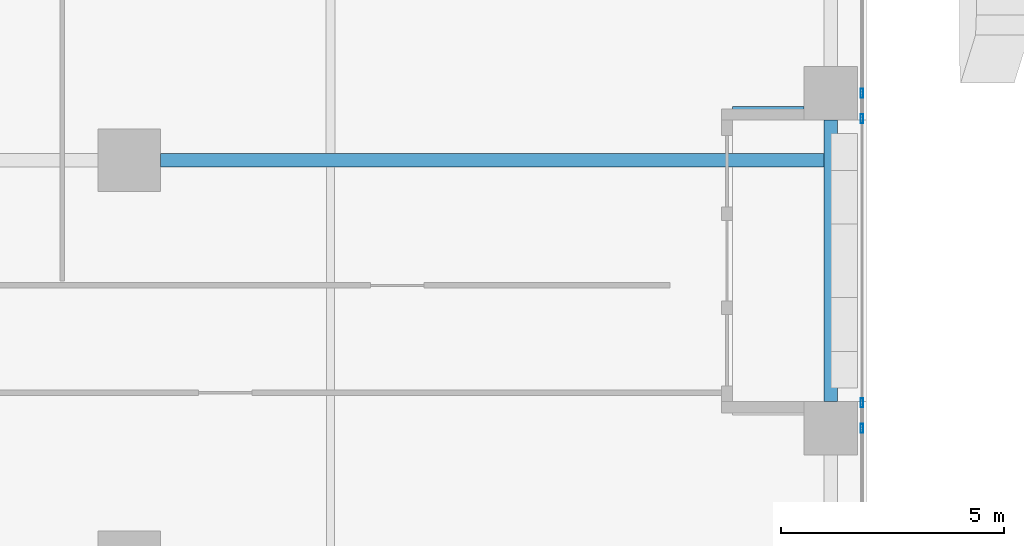
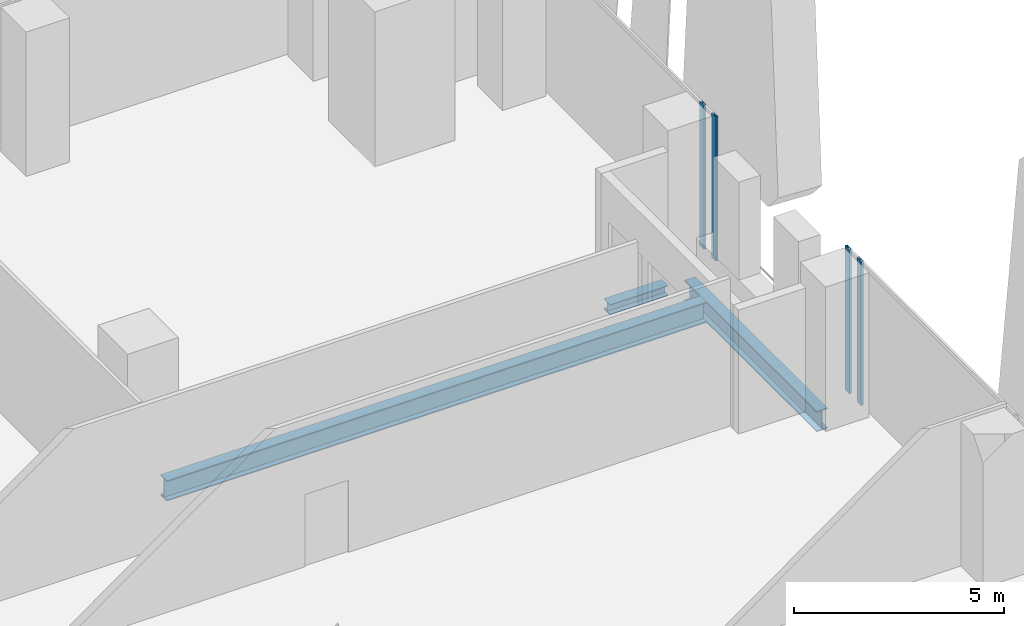
# One storey, part 19 of 37: 4 members, 3 beams, 2 elements without a shape of their own.
"""IFC4 building model written with IfcOpenShell, lengths in metres."""

import ifcopenshell
import ifcopenshell.guid

model = None  # the IFC model being written
_history = None  # IfcOwnerHistory: only IFC2X3 demands one
_inside = {}  # id of a spatial element -> (the spatial element, [elements in it])
_under = {}  # id of a project, library or spatial element -> (it, [spatial elements below it])
_declared = {}  # id of a project -> (the project, [libraries it declares])
_typed = {}  # id of a type object -> (the type object, [elements of that type])
_made_of = {}  # id of a material, layer set ... -> (it, [elements and type objects made of it])


def new_model(schema):
    """Start an empty IFC model of exactly this schema.

    Asked for "IFC4X3", IfcOpenShell would pick the latest addendum, in which some entities
    have other attributes; the version numbers below select the first issue.
    IFC2X3 requires an IfcOwnerHistory on every rooted entity: one is made here for all.
    """
    global model, _history
    if schema == "IFC4X3":
        model = ifcopenshell.file(schema_version=(4, 3, 0, 0))
    else:
        model = ifcopenshell.file(schema=schema)
    _inside.clear()
    _under.clear()
    _declared.clear()
    _typed.clear()
    _made_of.clear()
    _history = None
    if model.schema == "IFC2X3":
        org = make("IfcOrganization", Name="unknown")
        user = make(
            "IfcPersonAndOrganization",
            ThePerson=make("IfcPerson", FamilyName="unknown"),
            TheOrganization=org,
        )
        app = make(
            "IfcApplication",
            ApplicationDeveloper=org,
            Version="unknown",
            ApplicationFullName="unknown",
            ApplicationIdentifier="unknown",
        )
        _history = make(
            "IfcOwnerHistory",
            OwningUser=user,
            OwningApplication=app,
            ChangeAction="ADDED",
            CreationDate=0,
        )
    return model


def make(cls, **values):
    """One entity of the class cls with the attributes given. An attribute that is None is left unset."""
    return model.create_entity(
        cls, **{name: value for name, value in values.items() if value is not None}
    )


def rooted(cls, **values):
    """An entity with a GlobalId (a new one), such as an element, a storey or a relation."""
    return make(cls, GlobalId=ifcopenshell.guid.new(), OwnerHistory=_history, **values)


def si_unit(unit_type, name, prefix=None):
    """IfcSIUnit, for example si_unit("LENGTHUNIT", "METRE", prefix="MILLI")."""
    return make("IfcSIUnit", UnitType=unit_type, Prefix=prefix, Name=name)


def assignment(units):
    """IfcUnitAssignment: the units of a project."""
    return None if units is None else make("IfcUnitAssignment", Units=units)


def point(xyz):
    """IfcCartesianPoint."""
    return None if xyz is None else make("IfcCartesianPoint", Coordinates=xyz)


def direction(xyz):
    """IfcDirection."""
    return None if xyz is None else make("IfcDirection", DirectionRatios=xyz)


def frame(location, z_axis=None, x_axis=None):
    """IfcAxis2Placement3D, a coordinate frame: its origin and axes. An axis left out is left unset."""
    return make(
        "IfcAxis2Placement3D",
        Location=point(location),
        Axis=direction(z_axis),
        RefDirection=direction(x_axis),
    )


def frame_2d(location, x_axis=None):
    """IfcAxis2Placement2D, a coordinate frame in the plane: its origin and x axis."""
    return make(
        "IfcAxis2Placement2D", Location=point(location), RefDirection=direction(x_axis)
    )


def origin():
    """The frame at (0, 0, 0) with its axes left unset."""
    return frame((0.0, 0.0, 0.0))


def origin_2d():
    """The frame at (0, 0) in the plane with its x axis left unset."""
    return frame_2d((0.0, 0.0))


def place(relative_to, where):
    """IfcLocalPlacement: puts the frame where relative to a parent placement (None: the world)."""
    return make(
        "IfcLocalPlacement", PlacementRelTo=relative_to, RelativePlacement=where
    )


def context(
    kind, dimensions, precision=None, world=None, true_north=None, identifier=None
):
    """IfcGeometricRepresentationContext, for example the 3D "Model" context."""
    return make(
        "IfcGeometricRepresentationContext",
        ContextIdentifier=identifier,
        ContextType=kind,
        CoordinateSpaceDimension=dimensions,
        Precision=precision,
        WorldCoordinateSystem=world,
        TrueNorth=true_north,
    )


def subcontext(parent, identifier, kind, view, scale=None):
    """IfcGeometricRepresentationSubContext, for example "Body" below "Model"."""
    return make(
        "IfcGeometricRepresentationSubContext",
        ContextIdentifier=identifier,
        ContextType=kind,
        ParentContext=parent,
        TargetScale=scale,
        TargetView=view,
    )


def project(units=None, contexts=None):
    """IfcProject with its units and contexts."""
    return rooted(
        "IfcProject",
        Name="project",
        RepresentationContexts=contexts,
        UnitsInContext=assignment(units),
    )


def spatial(cls, under=None, at=None, **own):
    """A site, building, storey or space (cls), placed at a placement, below another one or the project."""
    s = rooted(cls, ObjectPlacement=at, **own)
    if under is not None:
        _under.setdefault(under.id(), (under, []))[1].append(s)
    return s


def profile(cls, at=None, kind="AREA", **sizes):
    """A parametric profile (cls). Its sizes go by their IFC names, for example OverallWidth=200.0."""
    return make(cls, ProfileType=kind, Position=at, **sizes)


def hollow_rectangle(**sizes):
    """IfcRectangleHollowProfileDef."""
    return profile("IfcRectangleHollowProfileDef", **sizes)


def i_section(**sizes):
    """IfcIShapeProfileDef."""
    return profile("IfcIShapeProfileDef", **sizes)


def extrude(swept, where, along, depth):
    """IfcExtrudedAreaSolid: the profile swept, set in the frame where, extruded along a direction by depth."""
    return make(
        "IfcExtrudedAreaSolid",
        SweptArea=swept,
        Position=where,
        ExtrudedDirection=direction(along),
        Depth=depth,
    )


def shape(context_of_items, identifier, shape_type, items):
    """IfcShapeRepresentation: the items that make up one representation, for example the "Body"."""
    return make(
        "IfcShapeRepresentation",
        ContextOfItems=context_of_items,
        RepresentationIdentifier=identifier,
        RepresentationType=shape_type,
        Items=items,
    )


def source(mapping_origin, context_of_items, identifier, shape_type, items):
    """IfcRepresentationMap: a shape defined once, which mapped items show again and again."""
    return make(
        "IfcRepresentationMap",
        MappingOrigin=mapping_origin,
        MappedRepresentation=shape(context_of_items, identifier, shape_type, items),
    )


def transform(
    local_origin,
    x_axis=None,
    y_axis=None,
    z_axis=None,
    scale=None,
    scale2=None,
    scale3=None,
    uniform=True,
):
    """IfcCartesianTransformationOperator3D, or its non-uniform kind. x_axis, y_axis, z_axis: its Axis1, 2, 3."""
    if uniform:
        return make(
            "IfcCartesianTransformationOperator3D",
            Axis1=direction(x_axis),
            Axis2=direction(y_axis),
            LocalOrigin=point(local_origin),
            Scale=scale,
            Axis3=direction(z_axis),
        )
    return make(
        "IfcCartesianTransformationOperator3DnonUniform",
        Axis1=direction(x_axis),
        Axis2=direction(y_axis),
        LocalOrigin=point(local_origin),
        Scale=scale,
        Axis3=direction(z_axis),
        Scale2=scale2,
        Scale3=scale3,
    )


def mapped(mapping_source, mapping_target):
    """IfcMappedItem: shows the shape of a source again, moved by a transform."""
    return make(
        "IfcMappedItem", MappingSource=mapping_source, MappingTarget=mapping_target
    )


def material(Name=None, Category=None):
    """IfcMaterial."""
    return make("IfcMaterial", Name=Name, Category=Category)


def material_profile(
    of_material, cross_section, Name=None, Category=None, Priority=None
):
    """IfcMaterialProfile: a cross section and its material."""
    return make(
        "IfcMaterialProfile",
        Name=Name,
        Material=of_material,
        Profile=cross_section,
        Priority=Priority,
        Category=Category,
    )


def profile_set(profiles, Name=None, composite=None):
    """IfcMaterialProfileSet."""
    return make(
        "IfcMaterialProfileSet",
        Name=Name,
        MaterialProfiles=profiles,
        CompositeProfile=composite,
    )


def made_of(thing, what):
    """Note that an element or type object is made of a material, layer set ...; save() writes the relation."""
    if what is not None:
        _made_of.setdefault(what.id(), (what, []))[1].append(thing)
    return thing


def type_object(cls, material=None, **own):
    """A type object (cls), such as IfcWallType, which elements share."""
    return made_of(rooted(cls, **own), material)


def element(
    cls,
    number,
    at=None,
    inside=None,
    cuts=None,
    type_object=None,
    material=None,
    context=None,
    identifier="Body",
    shape_type=None,
    held_by="IfcProductDefinitionShape",
    body=None,
    shapes=None,
    **own,
):
    """One element of the class cls, such as IfcWall. Its Tag is "e" and its number.

    at: its placement. inside: the storey or other place that contains it. cuts: it is an
    opening in that element (IfcRelVoidsElement). A single representation is given by context,
    identifier, shape_type and body (its items); several are given by shapes. held_by: the class
    of the entity that holds the representations. save() writes the other relations.
    """
    e = rooted(cls, Tag="e%d" % number, ObjectPlacement=at, **own)
    if body is not None:
        shapes = [shape(context, identifier, shape_type, body)]
    if shapes is not None:
        e.Representation = make(held_by, Representations=shapes)
    if inside is not None:
        _inside.setdefault(inside.id(), (inside, []))[1].append(e)
    if cuts is not None:
        rooted(
            "IfcRelVoidsElement", RelatingBuildingElement=cuts, RelatedOpeningElement=e
        )
    if type_object is not None:
        _typed.setdefault(type_object.id(), (type_object, []))[1].append(e)
    return made_of(e, material)


def aggregate(whole, parts):
    """IfcRelAggregates: a whole, such as a stair, and the parts it consists of."""
    return rooted("IfcRelAggregates", RelatingObject=whole, RelatedObjects=parts)


def save(model, path):
    """Write the relations noted so far, then the file.

    IfcRelAggregates (storeys below a building ...), IfcRelContainedInSpatialStructure (elements
    in a storey), IfcRelDefinesByType, IfcRelAssociatesMaterial and IfcRelDeclares: one each for
    every whole, place, type object, material and project.
    """
    for whole, parts in _under.values():
        aggregate(whole, parts)
    for where, things in _inside.values():
        rooted(
            "IfcRelContainedInSpatialStructure",
            RelatedElements=things,
            RelatingStructure=where,
        )
    for kind, things in _typed.values():
        rooted("IfcRelDefinesByType", RelatedObjects=things, RelatingType=kind)
    for what, things in _made_of.values():
        rooted("IfcRelAssociatesMaterial", RelatedObjects=things, RelatingMaterial=what)
    for by, libraries in _declared.values():
        rooted("IfcRelDeclares", RelatingContext=by, RelatedDefinitions=libraries)
    model.write(path)


model = new_model("IFC4")

# Units and contexts
model_context = context("Model", 3, precision=1e-05, world=origin(), true_north=direction((0.0, 1.0)))
body_context = subcontext(model_context, "Body", "Model", "MODEL_VIEW")
ifc_project = project(units=[si_unit("LENGTHUNIT", "METRE"), si_unit("AREAUNIT", "SQUARE_METRE"), si_unit("VOLUMEUNIT", "CUBIC_METRE"), si_unit("PLANEANGLEUNIT", "RADIAN"), si_unit("MASSUNIT", "GRAM", prefix="KILO")], contexts=[model_context])

# Site, building, storey
site_placement = place(None, origin())
site = spatial("IfcSite", under=ifc_project, at=site_placement, CompositionType="ELEMENT")
building_placement = place(site_placement, origin())
building = spatial("IfcBuilding", under=site, at=building_placement, Name="Khomas Fold Tower", CompositionType="ELEMENT")
storey_placement = place(building_placement, frame((0.0, 0.0, 60.0)))
storey = spatial("IfcBuildingStorey", under=building, at=storey_placement, Name="L12", CompositionType="ELEMENT", Elevation=60.0)

# Beams
ifc_material_1 = material(Name="Steel S355", Category="steel")
ifc_material_profile_1 = material_profile(ifc_material_1, i_section(OverallWidth=0.300048828125, OverallDepth=0.60009765625, WebThickness=0.015380859375, FlangeThickness=0.030029296875, at=origin_2d()), Name="HE 600 B")
ifc_profile_set_1 = profile_set([ifc_material_profile_1], Name="Steel S355")
beam_type_1 = type_object("IfcBeamType", Name="HE 600 B spandrel SB1", PredefinedType="SPANDREL", material=ifc_profile_set_1)
shared_shape_1 = source(origin(), body_context, "Body", "SweptSolid", [
    extrude(i_section(OverallWidth=0.300048828125, OverallDepth=0.60009765625, WebThickness=0.015380859375, FlangeThickness=0.030029296875, at=origin_2d()), origin(), (0.0, 0.0, 1.0), 6.2998046875),
])
beam_1_placement = place(storey_placement, frame((53.199951171875, 35.10009765625, -0.60009765625), z_axis=(0.0, 1.0, 0.0), x_axis=(-1.0, 0.0, 0.0)))
element("IfcBeam", 1, at=beam_1_placement, inside=storey, type_object=beam_type_1, Name="SB1", PredefinedType="SPANDREL", context=body_context, shape_type="MappedRepresentation", body=[
    mapped(shared_shape_1, transform((0.0, 0.0, 0.0))),
])
ifc_material_2 = material(Name="Steel S355", Category="steel")
ifc_material_profile_2 = material_profile(ifc_material_2, i_section(OverallWidth=0.300048828125, OverallDepth=0.60009765625, WebThickness=0.015380859375, FlangeThickness=0.030029296875, at=origin_2d()), Name="HE 600 B")
ifc_profile_set_2 = profile_set([ifc_material_profile_2], Name="Steel S355")
beam_type_2 = type_object("IfcBeamType", Name="HE 600 B beam GB5", PredefinedType="BEAM", material=ifc_profile_set_2)
shared_shape_2 = source(origin(), body_context, "Body", "SweptSolid", [
    extrude(i_section(OverallWidth=0.300048828125, OverallDepth=0.60009765625, WebThickness=0.015380859375, FlangeThickness=0.030029296875, at=origin_2d()), origin(), (0.0, 0.0, 1.0), 14.85009765625),
])
beam_2_placement = place(storey_placement, frame((38.199951171875, 40.5, -0.60009765625), z_axis=(1.0, 0.0, 0.0), x_axis=(0.0, 1.0, 0.0)))
element("IfcBeam", 2, at=beam_2_placement, inside=storey, type_object=beam_type_2, Name="GB5", PredefinedType="BEAM", context=body_context, shape_type="MappedRepresentation", body=[
    mapped(shared_shape_2, transform((0.0, 0.0, 0.0))),
])
ifc_material_3 = material(Name="Steel S355", Category="steel")
ifc_material_profile_3 = material_profile(ifc_material_3, i_section(OverallWidth=0.300048828125, OverallDepth=0.300048828125, WebThickness=0.010986328125, FlangeThickness=0.01904296875, at=origin_2d()), Name="HE 300 B")
ifc_profile_set_3 = profile_set([ifc_material_profile_3], Name="Steel S355")
beam_type_3 = type_object("IfcBeamType", Name="HE 300 B beam BB1", PredefinedType="BEAM", material=ifc_profile_set_3)
shared_shape_3 = source(origin(), body_context, "Body", "SweptSolid", [
    extrude(i_section(OverallWidth=0.300048828125, OverallDepth=0.300048828125, WebThickness=0.010986328125, FlangeThickness=0.01904296875, at=origin_2d()), origin(), (0.0, 0.0, 1.0), 1.60009765625),
])
beam_3_placement = place(storey_placement, frame((51.0, 41.550048828125, -0.449951171875), z_axis=(1.0, 0.0, 0.0), x_axis=(0.0, 1.0, 0.0)))
element("IfcBeam", 3, at=beam_3_placement, inside=storey, type_object=beam_type_3, Name="BB1", PredefinedType="BEAM", context=body_context, shape_type="MappedRepresentation", body=[
    mapped(shared_shape_3, transform((0.0, 0.0, 0.0))),
])

# Curtain wall, members
ifc_material_4 = material(Name="Aluminium framed double glazing", Category="aluminium")
curtain_wall_type = type_object("IfcCurtainWallType", Name="SK-Unitised clear-glass wall, growing floors CW1", PredefinedType="NOTDEFINED", material=ifc_material_4)
curtain_wall_1_placement = place(storey_placement, origin())
curtain_wall_1 = element("IfcCurtainWall", 4, at=curtain_wall_1_placement, inside=storey, type_object=curtain_wall_type, Name="CW1 run L12 03-0", PredefinedType="NOTDEFINED")
ifc_material_5 = material(Name="Aluminium", Category="aluminium")
ifc_material_profile_4 = material_profile(ifc_material_5, hollow_rectangle(XDim=0.06005859375, YDim=0.199951171875, WallThickness=0.00390625, at=origin_2d()), Name="SK-Unitised clear-glass wall, growing floors mullion CW1-M")
ifc_profile_set_4 = profile_set([ifc_material_profile_4], Name="Aluminium")
member_type = type_object("IfcMemberType", Name="SK-Unitised clear-glass wall, growing floors mullion CW1-M", PredefinedType="MULLION", material=ifc_profile_set_4)
shared_shape_4 = source(origin(), body_context, "Body", "SweptSolid", [
    extrude(hollow_rectangle(XDim=0.06005859375, YDim=0.199951171875, WallThickness=0.00390625, at=origin_2d()), origin(), (0.0, 0.0, 1.0), 4.199951171875),
])
member_1_placement = place(storey_placement, frame((53.89990234375, 34.5, 0.0), z_axis=(0.0, 0.0, 1.0), x_axis=(-1.0, 0.0, 0.0)))
member_1 = element("IfcMember", 5, at=member_1_placement, type_object=member_type, Name="CW1 mullion 6", PredefinedType="MULLION", context=body_context, shape_type="MappedRepresentation", body=[
    mapped(shared_shape_4, transform((0.0, 0.0, 0.0))),
])
member_2_placement = place(storey_placement, frame((53.89990234375, 35.070068359375, 0.0), z_axis=(0.0, 0.0, 1.0), x_axis=(-1.0, 0.0, 0.0)))
member_2 = element("IfcMember", 6, at=member_2_placement, type_object=member_type, Name="CW1 mullion 7", PredefinedType="MULLION", context=body_context, shape_type="MappedRepresentation", body=[
    mapped(shared_shape_4, transform((0.0, 0.0, 0.0))),
])
aggregate(curtain_wall_1, [member_1, member_2])

curtain_wall_2_placement = place(storey_placement, origin())
curtain_wall_2 = element("IfcCurtainWall", 7, at=curtain_wall_2_placement, inside=storey, type_object=curtain_wall_type, Name="CW1 run L12 03-1", PredefinedType="NOTDEFINED")
member_3_placement = place(storey_placement, frame((53.89990234375, 41.429931640625, 0.0), z_axis=(0.0, 0.0, 1.0), x_axis=(-1.0, 0.0, 0.0)))
member_3 = element("IfcMember", 8, at=member_3_placement, type_object=member_type, Name="CW1 mullion 1", PredefinedType="MULLION", context=body_context, shape_type="MappedRepresentation", body=[
    mapped(shared_shape_4, transform((0.0, 0.0, 0.0))),
])
member_4_placement = place(storey_placement, frame((53.89990234375, 42.0, 0.0), z_axis=(0.0, 0.0, 1.0), x_axis=(-1.0, 0.0, 0.0)))
member_4 = element("IfcMember", 9, at=member_4_placement, type_object=member_type, Name="CW1 mullion 2", PredefinedType="MULLION", context=body_context, shape_type="MappedRepresentation", body=[
    mapped(shared_shape_4, transform((0.0, 0.0, 0.0))),
])
aggregate(curtain_wall_2, [member_3, member_4])

save(model, "model.ifc")
